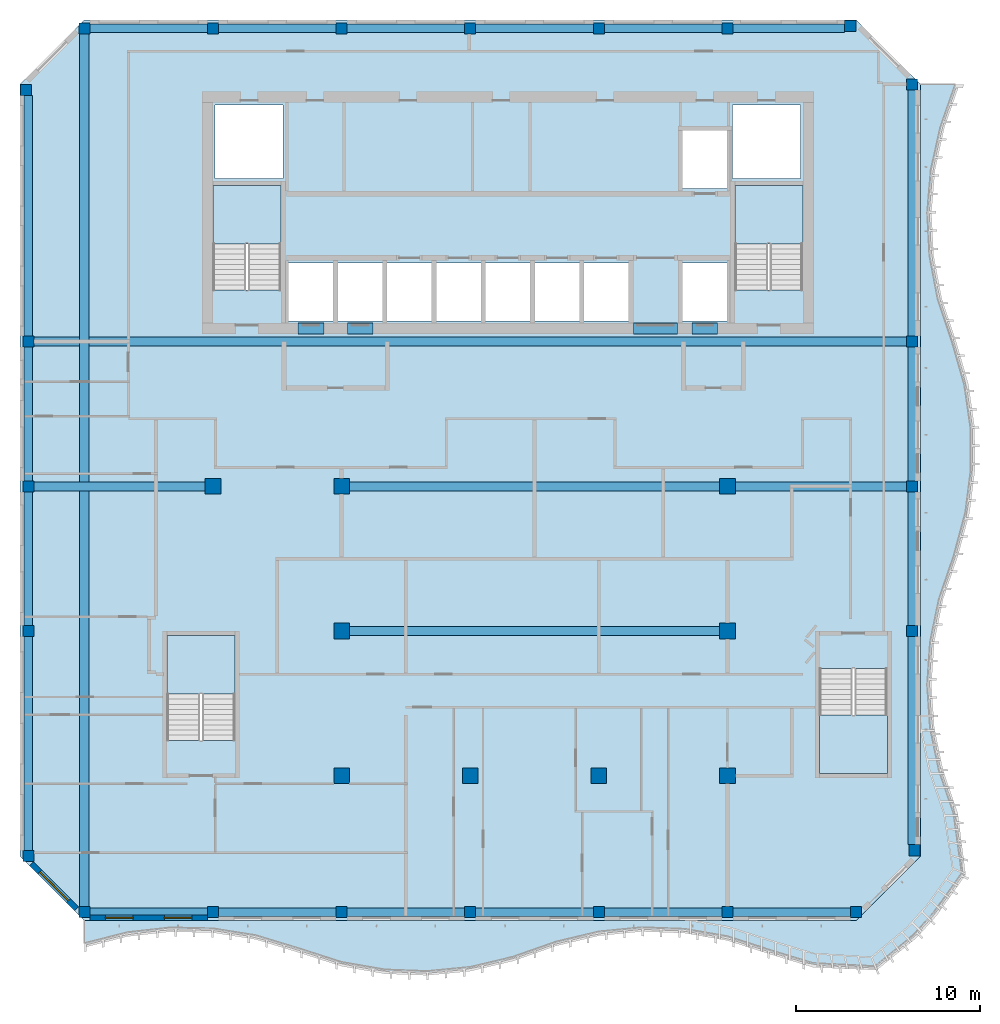
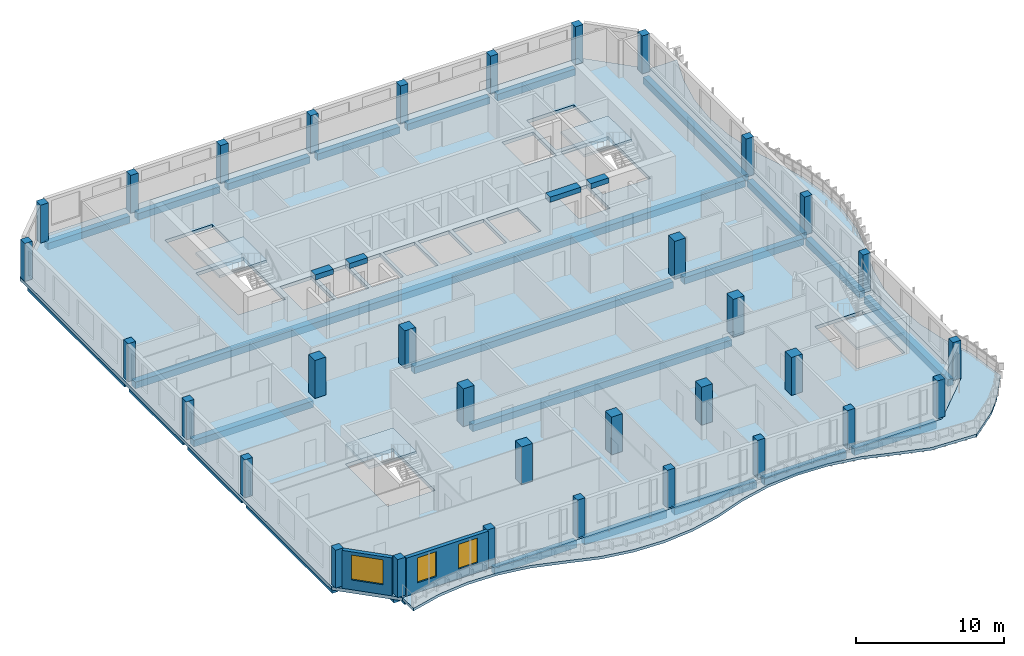
# One storey, part 1 of 17: 33 columns, 30 beams, 6 slabs, 3 windows, 2 walls, 3 openings, 4 elements without a shape of their own.
"""IFC4 building model written with IfcOpenShell, lengths in metres."""

import ifcopenshell
import ifcopenshell.guid

model = None  # the IFC model being written
_history = None  # IfcOwnerHistory: only IFC2X3 demands one
_inside = {}  # id of a spatial element -> (the spatial element, [elements in it])
_under = {}  # id of a project, library or spatial element -> (it, [spatial elements below it])
_declared = {}  # id of a project -> (the project, [libraries it declares])
_typed = {}  # id of a type object -> (the type object, [elements of that type])
_made_of = {}  # id of a material, layer set ... -> (it, [elements and type objects made of it])


def new_model(schema):
    """Start an empty IFC model of exactly this schema.

    Asked for "IFC4X3", IfcOpenShell would pick the latest addendum, in which some entities
    have other attributes; the version numbers below select the first issue.
    IFC2X3 requires an IfcOwnerHistory on every rooted entity: one is made here for all.
    """
    global model, _history
    if schema == "IFC4X3":
        model = ifcopenshell.file(schema_version=(4, 3, 0, 0))
    else:
        model = ifcopenshell.file(schema=schema)
    _inside.clear()
    _under.clear()
    _declared.clear()
    _typed.clear()
    _made_of.clear()
    _history = None
    if model.schema == "IFC2X3":
        org = make("IfcOrganization", Name="unknown")
        user = make(
            "IfcPersonAndOrganization",
            ThePerson=make("IfcPerson", FamilyName="unknown"),
            TheOrganization=org,
        )
        app = make(
            "IfcApplication",
            ApplicationDeveloper=org,
            Version="unknown",
            ApplicationFullName="unknown",
            ApplicationIdentifier="unknown",
        )
        _history = make(
            "IfcOwnerHistory",
            OwningUser=user,
            OwningApplication=app,
            ChangeAction="ADDED",
            CreationDate=0,
        )
    return model


def make(cls, **values):
    """One entity of the class cls with the attributes given. An attribute that is None is left unset."""
    return model.create_entity(
        cls, **{name: value for name, value in values.items() if value is not None}
    )


def rooted(cls, **values):
    """An entity with a GlobalId (a new one), such as an element, a storey or a relation."""
    return make(cls, GlobalId=ifcopenshell.guid.new(), OwnerHistory=_history, **values)


def si_unit(unit_type, name, prefix=None):
    """IfcSIUnit, for example si_unit("LENGTHUNIT", "METRE", prefix="MILLI")."""
    return make("IfcSIUnit", UnitType=unit_type, Prefix=prefix, Name=name)


def assignment(units):
    """IfcUnitAssignment: the units of a project."""
    return None if units is None else make("IfcUnitAssignment", Units=units)


def point(xyz):
    """IfcCartesianPoint."""
    return None if xyz is None else make("IfcCartesianPoint", Coordinates=xyz)


def direction(xyz):
    """IfcDirection."""
    return None if xyz is None else make("IfcDirection", DirectionRatios=xyz)


def frame(location, z_axis=None, x_axis=None):
    """IfcAxis2Placement3D, a coordinate frame: its origin and axes. An axis left out is left unset."""
    return make(
        "IfcAxis2Placement3D",
        Location=point(location),
        Axis=direction(z_axis),
        RefDirection=direction(x_axis),
    )


def frame_2d(location, x_axis=None):
    """IfcAxis2Placement2D, a coordinate frame in the plane: its origin and x axis."""
    return make(
        "IfcAxis2Placement2D", Location=point(location), RefDirection=direction(x_axis)
    )


def origin():
    """The frame at (0, 0, 0) with its axes left unset."""
    return frame((0.0, 0.0, 0.0))


def origin_2d():
    """The frame at (0, 0) in the plane with its x axis left unset."""
    return frame_2d((0.0, 0.0))


def place(relative_to, where):
    """IfcLocalPlacement: puts the frame where relative to a parent placement (None: the world)."""
    return make(
        "IfcLocalPlacement", PlacementRelTo=relative_to, RelativePlacement=where
    )


def context(
    kind, dimensions, precision=None, world=None, true_north=None, identifier=None
):
    """IfcGeometricRepresentationContext, for example the 3D "Model" context."""
    return make(
        "IfcGeometricRepresentationContext",
        ContextIdentifier=identifier,
        ContextType=kind,
        CoordinateSpaceDimension=dimensions,
        Precision=precision,
        WorldCoordinateSystem=world,
        TrueNorth=true_north,
    )


def subcontext(parent, identifier, kind, view, scale=None):
    """IfcGeometricRepresentationSubContext, for example "Body" below "Model"."""
    return make(
        "IfcGeometricRepresentationSubContext",
        ContextIdentifier=identifier,
        ContextType=kind,
        ParentContext=parent,
        TargetScale=scale,
        TargetView=view,
    )


def project(units=None, contexts=None):
    """IfcProject with its units and contexts."""
    return rooted(
        "IfcProject",
        Name="project",
        RepresentationContexts=contexts,
        UnitsInContext=assignment(units),
    )


def spatial(cls, under=None, at=None, **own):
    """A site, building, storey or space (cls), placed at a placement, below another one or the project."""
    s = rooted(cls, ObjectPlacement=at, **own)
    if under is not None:
        _under.setdefault(under.id(), (under, []))[1].append(s)
    return s


def polyline(points):
    """IfcPolyline through the points."""
    return make("IfcPolyline", Points=[point(p) for p in points])


def profile(cls, at=None, kind="AREA", **sizes):
    """A parametric profile (cls). Its sizes go by their IFC names, for example OverallWidth=200.0."""
    return make(cls, ProfileType=kind, Position=at, **sizes)


def rectangle(**sizes):
    """IfcRectangleProfileDef."""
    return profile("IfcRectangleProfileDef", **sizes)


def outline(outer, holes=None, kind="AREA"):
    """IfcArbitraryClosedProfileDef: a profile drawn as a closed curve; with holes, ...WithVoids."""
    if holes is None:
        return make("IfcArbitraryClosedProfileDef", ProfileType=kind, OuterCurve=outer)
    return make(
        "IfcArbitraryProfileDefWithVoids",
        ProfileType=kind,
        OuterCurve=outer,
        InnerCurves=holes,
    )


def extrude(swept, where, along, depth):
    """IfcExtrudedAreaSolid: the profile swept, set in the frame where, extruded along a direction by depth."""
    return make(
        "IfcExtrudedAreaSolid",
        SweptArea=swept,
        Position=where,
        ExtrudedDirection=direction(along),
        Depth=depth,
    )


def shape(context_of_items, identifier, shape_type, items):
    """IfcShapeRepresentation: the items that make up one representation, for example the "Body"."""
    return make(
        "IfcShapeRepresentation",
        ContextOfItems=context_of_items,
        RepresentationIdentifier=identifier,
        RepresentationType=shape_type,
        Items=items,
    )


def source(mapping_origin, context_of_items, identifier, shape_type, items):
    """IfcRepresentationMap: a shape defined once, which mapped items show again and again."""
    return make(
        "IfcRepresentationMap",
        MappingOrigin=mapping_origin,
        MappedRepresentation=shape(context_of_items, identifier, shape_type, items),
    )


def transform(
    local_origin,
    x_axis=None,
    y_axis=None,
    z_axis=None,
    scale=None,
    scale2=None,
    scale3=None,
    uniform=True,
):
    """IfcCartesianTransformationOperator3D, or its non-uniform kind. x_axis, y_axis, z_axis: its Axis1, 2, 3."""
    if uniform:
        return make(
            "IfcCartesianTransformationOperator3D",
            Axis1=direction(x_axis),
            Axis2=direction(y_axis),
            LocalOrigin=point(local_origin),
            Scale=scale,
            Axis3=direction(z_axis),
        )
    return make(
        "IfcCartesianTransformationOperator3DnonUniform",
        Axis1=direction(x_axis),
        Axis2=direction(y_axis),
        LocalOrigin=point(local_origin),
        Scale=scale,
        Axis3=direction(z_axis),
        Scale2=scale2,
        Scale3=scale3,
    )


def mapped(mapping_source, mapping_target):
    """IfcMappedItem: shows the shape of a source again, moved by a transform."""
    return make(
        "IfcMappedItem", MappingSource=mapping_source, MappingTarget=mapping_target
    )


def material(Name=None, Category=None):
    """IfcMaterial."""
    return make("IfcMaterial", Name=Name, Category=Category)


def layer(
    of_material, thickness, ventilated=None, Name=None, Category=None, Priority=None
):
    """IfcMaterialLayer: one layer of a wall or slab, of a material (None: an air gap)."""
    return make(
        "IfcMaterialLayer",
        Material=of_material,
        LayerThickness=thickness,
        IsVentilated=ventilated,
        Name=Name,
        Category=Category,
        Priority=Priority,
    )


def layer_set(layers, Name=None):
    """IfcMaterialLayerSet."""
    return make("IfcMaterialLayerSet", MaterialLayers=layers, LayerSetName=Name)


def material_profile(
    of_material, cross_section, Name=None, Category=None, Priority=None
):
    """IfcMaterialProfile: a cross section and its material."""
    return make(
        "IfcMaterialProfile",
        Name=Name,
        Material=of_material,
        Profile=cross_section,
        Priority=Priority,
        Category=Category,
    )


def profile_set(profiles, Name=None, composite=None):
    """IfcMaterialProfileSet."""
    return make(
        "IfcMaterialProfileSet",
        Name=Name,
        MaterialProfiles=profiles,
        CompositeProfile=composite,
    )


def made_of(thing, what):
    """Note that an element or type object is made of a material, layer set ...; save() writes the relation."""
    if what is not None:
        _made_of.setdefault(what.id(), (what, []))[1].append(thing)
    return thing


def type_object(cls, material=None, **own):
    """A type object (cls), such as IfcWallType, which elements share."""
    return made_of(rooted(cls, **own), material)


def element(
    cls,
    number,
    at=None,
    inside=None,
    cuts=None,
    type_object=None,
    material=None,
    context=None,
    identifier="Body",
    shape_type=None,
    held_by="IfcProductDefinitionShape",
    body=None,
    shapes=None,
    **own,
):
    """One element of the class cls, such as IfcWall. Its Tag is "e" and its number.

    at: its placement. inside: the storey or other place that contains it. cuts: it is an
    opening in that element (IfcRelVoidsElement). A single representation is given by context,
    identifier, shape_type and body (its items); several are given by shapes. held_by: the class
    of the entity that holds the representations. save() writes the other relations.
    """
    e = rooted(cls, Tag="e%d" % number, ObjectPlacement=at, **own)
    if body is not None:
        shapes = [shape(context, identifier, shape_type, body)]
    if shapes is not None:
        e.Representation = make(held_by, Representations=shapes)
    if inside is not None:
        _inside.setdefault(inside.id(), (inside, []))[1].append(e)
    if cuts is not None:
        rooted(
            "IfcRelVoidsElement", RelatingBuildingElement=cuts, RelatedOpeningElement=e
        )
    if type_object is not None:
        _typed.setdefault(type_object.id(), (type_object, []))[1].append(e)
    return made_of(e, material)


def fill(opening, filler):
    """IfcRelFillsElement: the door or window that sits in an opening."""
    return rooted(
        "IfcRelFillsElement",
        RelatingOpeningElement=opening,
        RelatedBuildingElement=filler,
    )


def aggregate(whole, parts):
    """IfcRelAggregates: a whole, such as a stair, and the parts it consists of."""
    return rooted("IfcRelAggregates", RelatingObject=whole, RelatedObjects=parts)


def save(model, path):
    """Write the relations noted so far, then the file.

    IfcRelAggregates (storeys below a building ...), IfcRelContainedInSpatialStructure (elements
    in a storey), IfcRelDefinesByType, IfcRelAssociatesMaterial and IfcRelDeclares: one each for
    every whole, place, type object, material and project.
    """
    for whole, parts in _under.values():
        aggregate(whole, parts)
    for where, things in _inside.values():
        rooted(
            "IfcRelContainedInSpatialStructure",
            RelatedElements=things,
            RelatingStructure=where,
        )
    for kind, things in _typed.values():
        rooted("IfcRelDefinesByType", RelatedObjects=things, RelatingType=kind)
    for what, things in _made_of.values():
        rooted("IfcRelAssociatesMaterial", RelatedObjects=things, RelatingMaterial=what)
    for by, libraries in _declared.values():
        rooted("IfcRelDeclares", RelatingContext=by, RelatedDefinitions=libraries)
    model.write(path)


model = new_model("IFC4")

# Units and contexts
model_context = context("Model", 3, precision=1e-05, world=origin(), true_north=direction((0.0, 1.0)))
body_context = subcontext(model_context, "Body", "Model", "MODEL_VIEW")
ifc_project = project(units=[si_unit("LENGTHUNIT", "METRE"), si_unit("AREAUNIT", "SQUARE_METRE"), si_unit("VOLUMEUNIT", "CUBIC_METRE"), si_unit("PLANEANGLEUNIT", "RADIAN"), si_unit("MASSUNIT", "GRAM", prefix="KILO")], contexts=[model_context])

# Site, building, storey
site_placement = place(None, origin())
site = spatial("IfcSite", under=ifc_project, at=site_placement, CompositionType="ELEMENT")
building_placement = place(site_placement, origin())
building = spatial("IfcBuilding", under=site, at=building_placement, Name="Kilnfold Tower and Market Hall", CompositionType="ELEMENT")
storey_placement = place(building_placement, frame((0.0, 0.0, 308.60009765625)))
storey = spatial("IfcBuildingStorey", under=building, at=storey_placement, Name="L77", CompositionType="ELEMENT", Elevation=308.60009765625)

# Columns
ifc_material_1 = material(Name="Concrete C60", Category="concrete")
ifc_material_profile_1 = material_profile(ifc_material_1, rectangle(XDim=0.60009765625, YDim=0.60009765625, at=origin_2d()), Name="RC 600x600")
ifc_profile_set_1 = profile_set([ifc_material_profile_1], Name="Concrete C60")
column_type_1 = type_object("IfcColumnType", Name="COLUMN 600X600 C60", PredefinedType="COLUMN", material=ifc_profile_set_1)
shared_shape_1 = source(origin(), body_context, "Body", "SweptSolid", [
    extrude(rectangle(XDim=0.60009765625, YDim=0.60009765625, at=origin_2d()), origin(), (0.0, 0.0, 1.0), 3.119873046875),
])
for number, where, z_axis, x_axis, name in (
    (1, (-25.181884765625, 21.681884765625, 0.0), (0.0, 0.0, 1.0), (1.0, 0.0, 0.0), "Column C-B9-1G"),
    (2, (-25.050048828125, -20.0, 0.0), (0.0, 0.0, 1.0), (1.0, 0.0, 0.0), "Column C-B9-1B"),
    (3, (-25.050048828125, -7.75, 0.0), (0.0, 0.0, 1.0), (1.0, 0.0, 0.0), "Column C-B9-1D"),
    (4, (-25.050048828125, 0.125, 0.0), (0.0, 0.0, 1.0), (1.0, 0.0, 0.0), "Column C-B9-1E"),
    (5, (-25.050048828125, 8.0, 0.0), (0.0, 0.0, 1.0), (1.0, 0.0, 0.0), "Column C-B9-1F"),
    (6, (-22.0, -23.050048828125, 0.0), (0.0, 0.0, 1.0), (1.0, 0.0, 0.0), "Column C-B9-2A"),
    (7, (-22.0, 25.050048828125, 0.0), (0.0, 0.0, 1.0), (1.0, 0.0, 0.0), "Column C-B9-2H"),
    (8, (-15.0, -23.050048828125, 0.0), (0.0, 0.0, 1.0), (1.0, 0.0, 0.0), "Column C-B9-3A"),
    (9, (-15.0, 25.050048828125, 0.0), (0.0, 0.0, 1.0), (1.0, 0.0, 0.0), "Column C-B9-3H"),
    (10, (-8.0, -23.050048828125, 0.0), (0.0, 0.0, 1.0), (1.0, 0.0, 0.0), "Column C-B9-4A"),
    (11, (-8.0, 25.050048828125, 0.0), (0.0, 0.0, 1.0), (1.0, 0.0, 0.0), "Column C-B9-4H"),
    (12, (-1.0, -23.050048828125, 0.0), (0.0, 0.0, 1.0), (1.0, 0.0, 0.0), "Column C-B9-5A"),
    (13, (-1.0, 25.050048828125, 0.0), (0.0, 0.0, 1.0), (1.0, 0.0, 0.0), "Column C-B9-5H"),
    (14, (6.0, -23.050048828125, 0.0), (0.0, 0.0, 1.0), (1.0, 0.0, 0.0), "Column C-B9-6A"),
    (15, (6.0, 25.050048828125, 0.0), (0.0, 0.0, 1.0), (1.0, 0.0, 0.0), "Column C-B9-6H"),
    (16, (13.0, -23.050048828125, 0.0), (0.0, 0.0, 1.0), (1.0, 0.0, 0.0), "Column C-B9-7A"),
    (17, (13.0, 25.050048828125, 0.0), (0.0, 0.0, 1.0), (1.0, 0.0, 0.0), "Column C-B9-7H"),
    (18, (19.681884765625, 25.181884765625, 0.0), (0.0, 0.0, 1.0), (1.0, 0.0, 0.0), "Column C-B9-8H"),
    (19, (20.0, -23.050048828125, 0.0), (0.0, 0.0, 1.0), (1.0, 0.0, 0.0), "Column C-B9-8A"),
    (20, (23.050048828125, -7.75, 0.0), (0.0, 0.0, 1.0), (1.0, 0.0, 0.0), "Column C-B9-9D"),
    (21, (23.050048828125, 0.125, 0.0), (0.0, 0.0, 1.0), (1.0, 0.0, 0.0), "Column C-B9-9E"),
    (22, (23.050048828125, 8.0, 0.0), (0.0, 0.0, 1.0), (1.0, 0.0, 0.0), "Column C-B9-9F"),
    (23, (23.050048828125, 22.0, 0.0), (0.0, 0.0, 1.0), (1.0, 0.0, 0.0), "Column C-B9-9G"),
    (24, (23.181884765625, -19.681884765625, 0.0), (0.0, 0.0, 1.0), (1.0, 0.0, 0.0), "Column C-B9-9B"),
):
    element("IfcColumn", number, at=place(storey_placement, frame(where, z_axis=z_axis, x_axis=x_axis)), inside=storey, type_object=column_type_1, Name=name, PredefinedType="COLUMN", context=body_context, shape_type="MappedRepresentation", body=[
        mapped(shared_shape_1, transform((0.0, 0.0, 0.0))),
    ])
ifc_material_2 = material(Name="Concrete C60", Category="concrete")
ifc_material_profile_2 = material_profile(ifc_material_2, rectangle(XDim=0.85009765625, YDim=0.85009765625, at=origin_2d()), Name="RC 850x850")
ifc_profile_set_2 = profile_set([ifc_material_profile_2], Name="Concrete C60")
column_type_2 = type_object("IfcColumnType", Name="COLUMN 850X850 C60", PredefinedType="COLUMN", material=ifc_profile_set_2)
shared_shape_2 = source(origin(), body_context, "Body", "SweptSolid", [
    extrude(rectangle(XDim=0.85009765625, YDim=0.85009765625, at=origin_2d()), origin(), (0.0, 0.0, 1.0), 3.119873046875),
])
for number, where, z_axis, x_axis, name in (
    (25, (-15.0, 0.125, 0.0), (0.0, 0.0, 1.0), (1.0, 0.0, 0.0), "Column C-B9-3E"),
    (26, (-8.0, -15.625, 0.0), (0.0, 0.0, 1.0), (1.0, 0.0, 0.0), "Column C-B9-4C"),
    (27, (-8.0, -7.75, 0.0), (0.0, 0.0, 1.0), (1.0, 0.0, 0.0), "Column C-B9-4D"),
    (28, (-8.0, 0.125, 0.0), (0.0, 0.0, 1.0), (1.0, 0.0, 0.0), "Column C-B9-4E"),
    (29, (-1.0, -15.625, 0.0), (0.0, 0.0, 1.0), (1.0, 0.0, 0.0), "Column C-B9-5C"),
    (30, (6.0, -15.625, 0.0), (0.0, 0.0, 1.0), (1.0, 0.0, 0.0), "Column C-B9-6C"),
    (31, (13.0, -15.625, 0.0), (0.0, 0.0, 1.0), (1.0, 0.0, 0.0), "Column C-B9-7C"),
    (32, (13.0, -7.75, 0.0), (0.0, 0.0, 1.0), (1.0, 0.0, 0.0), "Column C-B9-7D"),
    (33, (13.0, 0.125, 0.0), (0.0, 0.0, 1.0), (1.0, 0.0, 0.0), "Column C-B9-7E"),
):
    element("IfcColumn", number, at=place(storey_placement, frame(where, z_axis=z_axis, x_axis=x_axis)), inside=storey, type_object=column_type_2, Name=name, PredefinedType="COLUMN", context=body_context, shape_type="MappedRepresentation", body=[
        mapped(shared_shape_2, transform((0.0, 0.0, 0.0))),
    ])

# Beams
ifc_material_3 = material(Name="Concrete C50", Category="concrete")
ifc_material_profile_3 = material_profile(ifc_material_3, rectangle(XDim=0.60009765625, YDim=0.419921875, at=origin_2d()), Name="RC 600x420")
ifc_profile_set_3 = profile_set([ifc_material_profile_3], Name="Concrete C50")
beam_type_1 = type_object("IfcBeamType", Name="COUPLING BEAM 600X420 C50", PredefinedType="BEAM", material=ifc_profile_set_3)
shared_shape_3 = source(origin(), body_context, "Body", "SweptSolid", [
    extrude(rectangle(XDim=0.60009765625, YDim=0.419921875, at=origin_2d()), origin(), (0.0, 0.0, 1.0), 1.400146484375),
])
beam_1_placement = place(storey_placement, frame((-10.3701171875, 8.699951171875, 2.909912109375), z_axis=(1.0, 0.0, 0.0), x_axis=(0.0, 1.0, 0.0)))
element("IfcBeam", 34, at=beam_1_placement, inside=storey, type_object=beam_type_1, Name="Coupling beam CB420-50-CORE.30", PredefinedType="BEAM", context=body_context, shape_type="MappedRepresentation", body=[
    mapped(shared_shape_3, transform((0.0, 0.0, 0.0))),
])
shared_shape_4 = source(origin(), body_context, "Body", "SweptSolid", [
    extrude(rectangle(XDim=0.60009765625, YDim=0.419921875, at=origin_2d()), origin(), (0.0, 0.0, 1.0), 1.39990234375),
])
for number, where, z_axis, x_axis, name in (
    (35, (-7.68994140625, 8.699951171875, 2.909912109375), (1.0, 0.0, 0.0), (0.0, 1.0, 0.0), "Coupling beam CB420-50-CORE.31"),
    (36, (11.070068359375, 8.699951171875, 2.909912109375), (1.0, 0.0, 0.0), (0.0, 1.0, 0.0), "Coupling beam CB420-50-CORE.33"),
):
    element("IfcBeam", number, at=place(storey_placement, frame(where, z_axis=z_axis, x_axis=x_axis)), inside=storey, type_object=beam_type_1, Name=name, PredefinedType="BEAM", context=body_context, shape_type="MappedRepresentation", body=[
        mapped(shared_shape_4, transform((0.0, 0.0, 0.0))),
    ])
shared_shape_5 = source(origin(), body_context, "Body", "SweptSolid", [
    extrude(rectangle(XDim=0.60009765625, YDim=0.419921875, at=origin_2d()), origin(), (0.0, 0.0, 1.0), 2.400146484375),
])
beam_2_placement = place(storey_placement, frame((7.889892578125, 8.699951171875, 2.909912109375), z_axis=(1.0, 0.0, 0.0), x_axis=(0.0, 1.0, 0.0)))
element("IfcBeam", 37, at=beam_2_placement, inside=storey, type_object=beam_type_1, Name="Coupling beam CB420-50-CORE.32", PredefinedType="BEAM", context=body_context, shape_type="MappedRepresentation", body=[
    mapped(shared_shape_5, transform((0.0, 0.0, 0.0))),
])
ifc_material_4 = material(Name="Concrete C45", Category="concrete")
ifc_material_profile_4 = material_profile(ifc_material_4, rectangle(XDim=0.449951171875, YDim=0.550048828125, at=origin_2d()), Name="RC 450x550")
ifc_profile_set_4 = profile_set([ifc_material_profile_4], Name="Concrete C45")
beam_type_2 = type_object("IfcBeamType", Name="EDGE BEAM 450X550 C45", PredefinedType="BEAM", material=ifc_profile_set_4)
shared_shape_6 = source(origin(), body_context, "Body", "SweptSolid", [
    extrude(rectangle(XDim=0.449951171875, YDim=0.550048828125, at=origin_2d()), origin(), (0.0, 0.0, 1.0), 6.39990234375),
])
for number, where, z_axis, x_axis, name in (
    (38, (-21.699951171875, -23.050048828125, -0.55517578125), (1.0, 0.0, 0.0), (0.0, 1.0, 0.0), "Beam EB550-B9.38"),
    (39, (-14.699951171875, -23.050048828125, -0.55517578125), (1.0, 0.0, 0.0), (0.0, 1.0, 0.0), "Beam EB550-B9.39"),
    (40, (-7.699951171875, -23.050048828125, -0.55517578125), (1.0, 0.0, 0.0), (0.0, 1.0, 0.0), "Beam EB550-B9.40"),
    (41, (-0.699951171875, -23.050048828125, -0.55517578125), (1.0, 0.0, 0.0), (0.0, 1.0, 0.0), "Beam EB550-B9.41"),
    (42, (6.300048828125, -23.050048828125, -0.55517578125), (1.0, 0.0, 0.0), (0.0, 1.0, 0.0), "Beam EB550-B9.42"),
    (43, (13.300048828125, -23.050048828125, -0.55517578125), (1.0, 0.0, 0.0), (0.0, 1.0, 0.0), "Beam EB550-B9.43"),
    (44, (-21.699951171875, 25.050048828125, -0.55517578125), (1.0, 0.0, 0.0), (0.0, 1.0, 0.0), "Beam EB550-B9.49"),
    (45, (-14.699951171875, 25.050048828125, -0.55517578125), (1.0, 0.0, 0.0), (0.0, 1.0, 0.0), "Beam EB550-B9.50"),
    (46, (-7.699951171875, 25.050048828125, -0.55517578125), (1.0, 0.0, 0.0), (0.0, 1.0, 0.0), "Beam EB550-B9.51"),
    (47, (-0.699951171875, 25.050048828125, -0.55517578125), (1.0, 0.0, 0.0), (0.0, 1.0, 0.0), "Beam EB550-B9.52"),
    (48, (6.300048828125, 25.050048828125, -0.55517578125), (1.0, 0.0, 0.0), (0.0, 1.0, 0.0), "Beam EB550-B9.53"),
):
    element("IfcBeam", number, at=place(storey_placement, frame(where, z_axis=z_axis, x_axis=x_axis)), inside=storey, type_object=beam_type_2, Name=name, PredefinedType="BEAM", context=body_context, shape_type="MappedRepresentation", body=[
        mapped(shared_shape_6, transform((0.0, 0.0, 0.0))),
    ])
ifc_material_5 = material(Name="Concrete C45", Category="concrete")
ifc_material_profile_5 = material_profile(ifc_material_5, rectangle(XDim=0.5, YDim=0.550048828125, at=origin_2d()), Name="RC 500x550")
ifc_profile_set_5 = profile_set([ifc_material_profile_5], Name="Concrete C45")
beam_type_3 = type_object("IfcBeamType", Name="BEAM 500X550 C45", PredefinedType="BEAM", material=ifc_profile_set_5)
shared_shape_7 = source(origin(), body_context, "Body", "SweptSolid", [
    extrude(rectangle(XDim=0.5, YDim=0.550048828125, at=origin_2d()), origin(), (0.0, 0.0, 1.0), 20.14990234375),
])
for number, where, z_axis, x_axis, name in (
    (49, (-7.574951171875, -7.75, -0.55517578125), (1.0, 0.0, 0.0), (0.0, 1.0, 0.0), "Beam BB550-B9.44"),
    (50, (-7.574951171875, 0.1201171875, -0.55517578125), (1.0, 0.0, 0.0), (0.0, 1.0, 0.0), "Beam BB550-B9.46"),
):
    element("IfcBeam", number, at=place(storey_placement, frame(where, z_axis=z_axis, x_axis=x_axis)), inside=storey, type_object=beam_type_3, Name=name, PredefinedType="BEAM", context=body_context, shape_type="MappedRepresentation", body=[
        mapped(shared_shape_7, transform((0.0, 0.0, 0.0))),
    ])
shared_shape_8 = source(origin(), body_context, "Body", "SweptSolid", [
    extrude(rectangle(XDim=0.5, YDim=0.550048828125, at=origin_2d()), origin(), (0.0, 0.0, 1.0), 9.324951171875),
])
for number, where, z_axis, x_axis, name in (
    (51, (-24.75, 0.1201171875, -0.55517578125), (1.0, 0.0, 0.0), (0.0, 1.0, 0.0), "Beam BB550-B9.45"),
    (52, (13.425048828125, 0.1201171875, -0.55517578125), (1.0, 0.0, 0.0), (0.0, 1.0, 0.0), "Beam BB550-B9.47"),
):
    element("IfcBeam", number, at=place(storey_placement, frame(where, z_axis=z_axis, x_axis=x_axis)), inside=storey, type_object=beam_type_3, Name=name, PredefinedType="BEAM", context=body_context, shape_type="MappedRepresentation", body=[
        mapped(shared_shape_8, transform((0.0, 0.0, 0.0))),
    ])
shared_shape_9 = source(origin(), body_context, "Body", "SweptSolid", [
    extrude(rectangle(XDim=0.5, YDim=0.550048828125, at=origin_2d()), origin(), (0.0, 0.0, 1.0), 47.5),
])
for number, where, z_axis, x_axis, name in (
    (53, (-24.75, 8.0, -0.55517578125), (1.0, 0.0, 0.0), (0.0, 1.0, 0.0), "Beam BB550-B9.48"),
    (54, (-22.0, -22.75, -0.55517578125), (0.0, 1.0, 0.0), (-1.0, 0.0, 0.0), "Beam BB550-B9.59"),
):
    element("IfcBeam", number, at=place(storey_placement, frame(where, z_axis=z_axis, x_axis=x_axis)), inside=storey, type_object=beam_type_3, Name=name, PredefinedType="BEAM", context=body_context, shape_type="MappedRepresentation", body=[
        mapped(shared_shape_9, transform((0.0, 0.0, 0.0))),
    ])
shared_shape_10 = source(origin(), body_context, "Body", "SweptSolid", [
    extrude(rectangle(XDim=0.449951171875, YDim=0.550048828125, at=origin_2d()), origin(), (0.0, 0.0, 1.0), 6.081787109375),
])
beam_3_placement = place(storey_placement, frame((13.300048828125, 25.050048828125, -0.55517578125), z_axis=(1.0, 0.0, 0.0), x_axis=(0.0, 1.0, 0.0)))
element("IfcBeam", 55, at=beam_3_placement, inside=storey, type_object=beam_type_2, Name="Beam EB550-B9.54", PredefinedType="BEAM", context=body_context, shape_type="MappedRepresentation", body=[
    mapped(shared_shape_10, transform((0.0, 0.0, 0.0))),
])
shared_shape_11 = source(origin(), body_context, "Body", "SweptSolid", [
    extrude(rectangle(XDim=0.449951171875, YDim=0.550048828125, at=origin_2d()), origin(), (0.0, 0.0, 1.0), 11.64990234375),
])
beam_4_placement = place(storey_placement, frame((-25.050048828125, -19.699951171875, -0.55517578125), z_axis=(0.0, 1.0, 0.0), x_axis=(-1.0, 0.0, 0.0)))
element("IfcBeam", 56, at=beam_4_placement, inside=storey, type_object=beam_type_2, Name="Beam EB550-B9.55", PredefinedType="BEAM", context=body_context, shape_type="MappedRepresentation", body=[
    mapped(shared_shape_11, transform((0.0, 0.0, 0.0))),
])
shared_shape_12 = source(origin(), body_context, "Body", "SweptSolid", [
    extrude(rectangle(XDim=0.449951171875, YDim=0.550048828125, at=origin_2d()), origin(), (0.0, 0.0, 1.0), 7.27490234375),
])
for number, where, z_axis, x_axis, name in (
    (57, (-25.050048828125, -7.449951171875, -0.55517578125), (0.0, 1.0, 0.0), (-1.0, 0.0, 0.0), "Beam EB550-B9.56"),
    (58, (-25.050048828125, 0.425048828125, -0.55517578125), (0.0, 1.0, 0.0), (-1.0, 0.0, 0.0), "Beam EB550-B9.57"),
    (59, (23.050048828125, -7.449951171875, -0.55517578125), (0.0, 1.0, 0.0), (-1.0, 0.0, 0.0), "Beam EB550-B9.61"),
    (60, (23.050048828125, 0.425048828125, -0.55517578125), (0.0, 1.0, 0.0), (-1.0, 0.0, 0.0), "Beam EB550-B9.62"),
):
    element("IfcBeam", number, at=place(storey_placement, frame(where, z_axis=z_axis, x_axis=x_axis)), inside=storey, type_object=beam_type_2, Name=name, PredefinedType="BEAM", context=body_context, shape_type="MappedRepresentation", body=[
        mapped(shared_shape_12, transform((0.0, 0.0, 0.0))),
    ])
shared_shape_13 = source(origin(), body_context, "Body", "SweptSolid", [
    extrude(rectangle(XDim=0.449951171875, YDim=0.550048828125, at=origin_2d()), origin(), (0.0, 0.0, 1.0), 13.081787109375),
])
beam_5_placement = place(storey_placement, frame((-25.050048828125, 8.300048828125, -0.55517578125), z_axis=(0.0, 1.0, 0.0), x_axis=(-1.0, 0.0, 0.0)))
element("IfcBeam", 61, at=beam_5_placement, inside=storey, type_object=beam_type_2, Name="Beam EB550-B9.58", PredefinedType="BEAM", context=body_context, shape_type="MappedRepresentation", body=[
    mapped(shared_shape_13, transform((0.0, 0.0, 0.0))),
])
shared_shape_14 = source(origin(), body_context, "Body", "SweptSolid", [
    extrude(rectangle(XDim=0.449951171875, YDim=0.550048828125, at=origin_2d()), origin(), (0.0, 0.0, 1.0), 11.331787109375),
])
beam_6_placement = place(storey_placement, frame((23.050048828125, -19.3818359375, -0.55517578125), z_axis=(0.0, 1.0, 0.0), x_axis=(-1.0, 0.0, 0.0)))
element("IfcBeam", 62, at=beam_6_placement, inside=storey, type_object=beam_type_2, Name="Beam EB550-B9.60", PredefinedType="BEAM", context=body_context, shape_type="MappedRepresentation", body=[
    mapped(shared_shape_14, transform((0.0, 0.0, 0.0))),
])
shared_shape_15 = source(origin(), body_context, "Body", "SweptSolid", [
    extrude(rectangle(XDim=0.449951171875, YDim=0.550048828125, at=origin_2d()), origin(), (0.0, 0.0, 1.0), 13.39990234375),
])
beam_7_placement = place(storey_placement, frame((23.050048828125, 8.300048828125, -0.55517578125), z_axis=(0.0, 1.0, 0.0), x_axis=(-1.0, 0.0, 0.0)))
element("IfcBeam", 63, at=beam_7_placement, inside=storey, type_object=beam_type_2, Name="Beam EB550-B9.63", PredefinedType="BEAM", context=body_context, shape_type="MappedRepresentation", body=[
    mapped(shared_shape_15, transform((0.0, 0.0, 0.0))),
])

# Slabs
ifc_material_6 = material(Name="Concrete C45", Category="concrete")
ifc_layer_1 = layer(ifc_material_6, 0.280029296875)
ifc_layer_set_1 = layer_set([ifc_layer_1], Name="Concrete C45")
slab_type_1 = type_object("IfcSlabType", Name="FLOOR SLAB 280", PredefinedType="FLOOR", material=ifc_layer_set_1)
shared_shape_16 = source(origin(), body_context, "Body", "SweptSolid", [
    extrude(outline(polyline([(-22.0, -23.5), (20.0, -23.5), (23.5, -20.0), (23.5, 22.0), (20.0, 25.5), (-22.0, 25.5), (-25.5, 22.0), (-25.5, -20.0), (-22.0, -23.5)]), holes=[polyline([(-13.800537109375, -8.00048828125), (-13.800537109375, -13.699462890625), (-17.49951171875, -13.699462890625), (-17.49951171875, -8.00048828125), (-13.800537109375, -8.00048828125)]), polyline([(-11.300537109375, 10.800537109375), (-14.99951171875, 10.800537109375), (-14.99951171875, 16.49951171875), (-11.300537109375, 16.49951171875), (-11.300537109375, 10.800537109375)]), polyline([(-11.175048828125, 16.875), (-14.875, 16.875), (-14.875, 20.875), (-11.175048828125, 20.875), (-11.175048828125, 16.875)]), polyline([(-8.455078125, 9.125), (-10.885009765625, 9.125), (-10.885009765625, 12.27490234375), (-8.455078125, 12.27490234375), (-8.455078125, 9.125)]), polyline([(-5.77490234375, 9.125), (-8.205078125, 9.125), (-8.205078125, 12.27490234375), (-5.77490234375, 12.27490234375), (-5.77490234375, 9.125)]), polyline([(-3.094970703125, 9.125), (-5.52490234375, 9.125), (-5.52490234375, 12.27490234375), (-3.094970703125, 12.27490234375), (-3.094970703125, 9.125)]), polyline([(-0.4150390625, 9.125), (-2.844970703125, 9.125), (-2.844970703125, 12.27490234375), (-0.4150390625, 12.27490234375), (-0.4150390625, 9.125)]), polyline([(2.264892578125, 9.125), (-0.1650390625, 9.125), (-0.1650390625, 12.27490234375), (2.264892578125, 12.27490234375), (2.264892578125, 9.125)]), polyline([(4.945068359375, 9.125), (2.514892578125, 9.125), (2.514892578125, 12.27490234375), (4.945068359375, 12.27490234375), (4.945068359375, 9.125)]), polyline([(7.625, 9.125), (5.195068359375, 9.125), (5.195068359375, 12.27490234375), (7.625, 12.27490234375), (7.625, 9.125)]), polyline([(12.985107421875, 9.125), (10.554931640625, 9.125), (10.554931640625, 12.27490234375), (12.985107421875, 12.27490234375), (12.985107421875, 9.125)]), polyline([(12.985107421875, 16.324951171875), (10.554931640625, 16.324951171875), (10.554931640625, 19.47509765625), (12.985107421875, 19.47509765625), (12.985107421875, 16.324951171875)]), polyline([(16.97509765625, 16.875), (13.27490234375, 16.875), (13.27490234375, 20.875), (16.97509765625, 20.875), (16.97509765625, 16.875)]), polyline([(17.099609375, 10.800537109375), (13.400390625, 10.800537109375), (13.400390625, 16.49951171875), (17.099609375, 16.49951171875), (17.099609375, 10.800537109375)]), polyline([(18.00048828125, -9.800537109375), (21.699462890625, -9.800537109375), (21.699462890625, -15.49951171875), (18.00048828125, -15.49951171875), (18.00048828125, -9.800537109375)])]), origin(), (0.0, 0.0, 1.0), 0.280029296875),
])
slab_1_placement = place(storey_placement, frame((0.0, 0.0, -0.280029296875)))
element("IfcSlab", 64, at=slab_1_placement, inside=storey, type_object=slab_type_1, Name="Floor slab L77", PredefinedType="FLOOR", context=body_context, shape_type="MappedRepresentation", body=[
    mapped(shared_shape_16, transform((0.0, 0.0, 0.0))),
])
ifc_material_7 = material(Name="Concrete C40/50", Category="concrete")
ifc_layer_2 = layer(ifc_material_7, 0.219970703125)
ifc_layer_set_2 = layer_set([ifc_layer_2], Name="Concrete C40/50")
slab_type_2 = type_object("IfcSlabType", Name="BALCONY SLAB 220", PredefinedType="FLOOR", material=ifc_layer_set_2)
shared_shape_17 = source(origin(), body_context, "Body", "SweptSolid", [
    extrude(outline(polyline([(-22.0, -23.5), (20.0, -23.5), (23.5, -20.0), (23.5, 22.0), (25.626953125, 22.0), (24.8115234375, 19.666748046875), (24.294189453125, 17.333251953125), (24.10205078125, 15.0), (24.2236328125, 12.666748046875), (24.666259765625, 10.333251953125), (25.44580078125, 8.0), (26.116455078125, 5.666748046875), (26.451416015625, 3.333251953125), (26.469482421875, 1.0), (26.171875, -1.333251953125), (25.54150390625, -3.666748046875), (24.7392578125, -6.0), (24.25830078125, -8.333251953125), (24.10009765625, -10.666748046875), (24.255859375, -13.0), (24.734375, -15.333251953125), (25.535400390625, -17.666748046875), (25.96533203125, -21.021240234375), (24.3935546875, -23.226806640625), (23.287841796875, -24.45458984375), (21.12109375, -26.206298828125), (17.666748046875, -26.0576171875), (15.333251953125, -25.346435546875), (13.0, -24.59912109375), (10.666748046875, -24.19384765625), (8.333251953125, -24.10791015625), (6.0, -24.33642578125), (3.666748046875, -24.89208984375), (1.333251953125, -25.7119140625), (-1.0, -26.265869140625), (-3.333251953125, -26.492431640625), (-5.666748046875, -26.40478515625), (-8.0, -25.997802734375), (-10.333251953125, -25.24853515625), (-12.666748046875, -24.539306640625), (-15.0, -24.16943359375), (-17.333251953125, -24.117431640625), (-19.666748046875, -24.38037109375), (-22.0, -24.97314453125), (-22.0, -23.5)])), origin(), (0.0, 0.0, 1.0), 0.22021484375),
])
slab_2_placement = place(storey_placement, frame((0.0, 0.0, -0.22021484375)))
element("IfcSlab", 65, at=slab_2_placement, inside=storey, type_object=slab_type_2, Name="Balcony slab L77", PredefinedType="FLOOR", context=body_context, shape_type="MappedRepresentation", body=[
    mapped(shared_shape_17, transform((0.0, 0.0, 0.0))),
])

# Stair, slab
ifc_material_8 = material(Name="Concrete C40/50", Category="concrete")
stair_type = type_object("IfcStairType", Name="CORE STAIR 1800", PredefinedType="HALF_TURN_STAIR", material=ifc_material_8)
stair_1_placement = place(storey_placement, origin())
stair_1 = element("IfcStair", 66, at=stair_1_placement, inside=storey, type_object=stair_type, Name="L77 ST1", PredefinedType="HALF_TURN_STAIR")
ifc_material_9 = material(Name="Concrete C40/50", Category="concrete")
ifc_layer_3 = layer(ifc_material_9, 0.199951171875)
ifc_layer_set_3 = layer_set([ifc_layer_3], Name="Concrete C40/50")
slab_type_3 = type_object("IfcSlabType", Name="CORE STAIR LANDING 200", PredefinedType="LANDING", material=ifc_layer_set_3)
shared_shape_18 = source(origin(), body_context, "Body", "SweptSolid", [
    extrude(outline(polyline([(-11.300048828125, 13.320068359375), (-11.300048828125, 16.5), (-15.0, 16.5), (-15.0, 13.320068359375), (-11.300048828125, 13.320068359375)])), origin(), (0.0, 0.0, 1.0), 0.199951171875),
])
slab_3_placement = place(storey_placement, frame((0.0, 0.0, 1.5)))
slab_3 = element("IfcSlab", 67, at=slab_3_placement, type_object=slab_type_3, Name="ST1 landing 1", PredefinedType="LANDING", context=body_context, shape_type="MappedRepresentation", body=[
    mapped(shared_shape_18, transform((0.0, 0.0, 0.0))),
])
aggregate(stair_1, [slab_3])

stair_2_placement = place(storey_placement, origin())
stair_2 = element("IfcStair", 68, at=stair_2_placement, inside=storey, type_object=stair_type, Name="L77 ST2", PredefinedType="HALF_TURN_STAIR")
shared_shape_19 = source(origin(), body_context, "Body", "SweptSolid", [
    extrude(outline(polyline([(17.10009765625, 13.320068359375), (17.10009765625, 16.5), (13.39990234375, 16.5), (13.39990234375, 13.320068359375), (17.10009765625, 13.320068359375)])), origin(), (0.0, 0.0, 1.0), 0.199951171875),
])
slab_4_placement = place(storey_placement, frame((0.0, 0.0, 1.5)))
slab_4 = element("IfcSlab", 69, at=slab_4_placement, type_object=slab_type_3, Name="ST2 landing 1", PredefinedType="LANDING", context=body_context, shape_type="MappedRepresentation", body=[
    mapped(shared_shape_19, transform((0.0, 0.0, 0.0))),
])
aggregate(stair_2, [slab_4])

stair_3_placement = place(storey_placement, origin())
stair_3 = element("IfcStair", 70, at=stair_3_placement, inside=storey, type_object=stair_type, Name="L77 ST3", PredefinedType="HALF_TURN_STAIR")
shared_shape_20 = source(origin(), body_context, "Body", "SweptSolid", [
    extrude(outline(polyline([(-13.800048828125, -11.179931640625), (-13.800048828125, -8.0), (-17.5, -8.0), (-17.5, -11.179931640625), (-13.800048828125, -11.179931640625)])), origin(), (0.0, 0.0, 1.0), 0.199951171875),
])
slab_5_placement = place(storey_placement, frame((0.0, 0.0, 1.5)))
slab_5 = element("IfcSlab", 71, at=slab_5_placement, type_object=slab_type_3, Name="ST3 landing 1", PredefinedType="LANDING", context=body_context, shape_type="MappedRepresentation", body=[
    mapped(shared_shape_20, transform((0.0, 0.0, 0.0))),
])
aggregate(stair_3, [slab_5])

stair_4_placement = place(storey_placement, origin())
stair_4 = element("IfcStair", 72, at=stair_4_placement, inside=storey, type_object=stair_type, Name="L77 ST4", PredefinedType="HALF_TURN_STAIR")
shared_shape_21 = source(origin(), body_context, "Body", "SweptSolid", [
    extrude(outline(polyline([(18.0, -12.320068359375), (18.0, -15.5), (21.699951171875, -15.5), (21.699951171875, -12.320068359375), (18.0, -12.320068359375)])), origin(), (0.0, 0.0, 1.0), 0.199951171875),
])
slab_6_placement = place(storey_placement, frame((0.0, 0.0, 1.5)))
slab_6 = element("IfcSlab", 73, at=slab_6_placement, type_object=slab_type_3, Name="ST4 landing 1", PredefinedType="LANDING", context=body_context, shape_type="MappedRepresentation", body=[
    mapped(shared_shape_21, transform((0.0, 0.0, 0.0))),
])
aggregate(stair_4, [slab_6])

# Wall, openings, windows
ifc_material_10 = material(Name="Precast concrete C50/60", Category="concrete")
ifc_layer_4 = layer(ifc_material_10, 0.300048828125)
ifc_layer_set_4 = layer_set([ifc_layer_4], Name="Precast concrete C50/60")
wall_type = type_object("IfcWallType", Name="PRECAST WALL 300", PredefinedType="SOLIDWALL", material=ifc_layer_set_4)
shared_shape_22 = source(origin(), body_context, "Body", "SweptSolid", [
    extrude(rectangle(XDim=6.39990234375, YDim=0.300048828125, at=frame_2d((3.199951171875, 0.0))), origin(), (0.0, 0.0, 1.0), 3.119873046875),
])
wall_1_placement = place(storey_placement, frame((-21.699951171875, -23.35009765625, 0.0), z_axis=(0.0, 0.0, 1.0), x_axis=(1.0, 0.0, 0.0)))
wall_1 = element("IfcWall", 74, at=wall_1_placement, inside=storey, type_object=wall_type, Name="External wall L77 S", PredefinedType="SOLIDWALL", context=body_context, shape_type="MappedRepresentation", body=[
    mapped(shared_shape_22, transform((0.0, 0.0, 0.0))),
])
opening_1_placement = place(wall_1_placement, frame((0.85009765625, 0.0, 0.800048828125)))
opening_1 = element("IfcOpeningElement", 75, at=opening_1_placement, cuts=wall_1, Name="Opening W5", PredefinedType="OPENING", context=body_context, shape_type="SweptSolid", body=[
    extrude(rectangle(XDim=1.5, YDim=2.050048828125, at=frame_2d((0.75, 1.02490234375))), frame((0.0, 0.16015625, 0.0), z_axis=(0.0, -1.0, 0.0), x_axis=(1.0, 0.0, 0.0)), (0.0, 0.0, 1.0), 0.320068359375),
])
opening_2_placement = place(wall_1_placement, frame((4.050048828125, 0.0, 0.800048828125)))
opening_2 = element("IfcOpeningElement", 76, at=opening_2_placement, cuts=wall_1, Name="Opening W5", PredefinedType="OPENING", context=body_context, shape_type="SweptSolid", body=[
    extrude(rectangle(XDim=1.5, YDim=2.050048828125, at=frame_2d((0.75, 1.02490234375))), frame((0.0, 0.16015625, 0.0), z_axis=(0.0, -1.0, 0.0), x_axis=(1.0, 0.0, 0.0)), (0.0, 0.0, 1.0), 0.320068359375),
])
ifc_material_11 = material(Name="Aluminium frame and double glazing", Category="aluminium")
window_type_1 = type_object("IfcWindowType", Name="WINDOW W5 1500X2050", PartitioningType="SINGLE_PANEL", PredefinedType="WINDOW", material=ifc_material_11)
window_1_placement = place(opening_1_placement, origin())
window_1 = element("IfcWindow", 77, at=window_1_placement, inside=storey, type_object=window_type_1, Name="Window W5 L77 S-1", OverallHeight=2.050048828125, OverallWidth=1.5, PartitioningType="SINGLE_PANEL", PredefinedType="WINDOW", context=body_context, shape_type="SweptSolid", body=[
    extrude(rectangle(XDim=1.5, YDim=2.050048828125, at=frame_2d((0.75, 1.02490234375))), frame((0.0, 0.030029296875, 0.0), z_axis=(0.0, -1.0, 0.0), x_axis=(1.0, 0.0, 0.0)), (0.0, 0.0, 1.0), 0.06005859375),
])
fill(opening_1, window_1)
window_2_placement = place(opening_2_placement, origin())
window_2 = element("IfcWindow", 78, at=window_2_placement, inside=storey, type_object=window_type_1, Name="Window W5 L77 S-2", OverallHeight=2.050048828125, OverallWidth=1.5, PartitioningType="SINGLE_PANEL", PredefinedType="WINDOW", context=body_context, shape_type="SweptSolid", body=[
    extrude(rectangle(XDim=1.5, YDim=2.050048828125, at=frame_2d((0.75, 1.02490234375))), frame((0.0, 0.030029296875, 0.0), z_axis=(0.0, -1.0, 0.0), x_axis=(1.0, 0.0, 0.0)), (0.0, 0.0, 1.0), 0.06005859375),
])
fill(opening_2, window_2)

# Wall, opening, window
shared_shape_23 = source(origin(), body_context, "Body", "SweptSolid", [
    extrude(rectangle(XDim=3.46484375, YDim=0.300048828125, at=frame_2d((1.732421875, 0.0))), origin(), (0.0, 0.0, 1.0), 3.119873046875),
])
wall_2_placement = place(storey_placement, frame((-24.868896484375, -20.4189453125, 0.0), z_axis=(0.0, 0.0, 1.0), x_axis=(0.707106781187, -0.707106781187, 0.0)))
wall_2 = element("IfcWall", 79, at=wall_2_placement, inside=storey, type_object=wall_type, Name="External wall L77 SW", PredefinedType="SOLIDWALL", context=body_context, shape_type="MappedRepresentation", body=[
    mapped(shared_shape_23, transform((0.0, 0.0, 0.0))),
])
opening_3_placement = place(wall_2_placement, frame((0.63232421875, 0.0, 0.800048828125)))
opening_3 = element("IfcOpeningElement", 80, at=opening_3_placement, cuts=wall_2, Name="Opening W3", PredefinedType="OPENING", context=body_context, shape_type="SweptSolid", body=[
    extrude(rectangle(XDim=2.199951171875, YDim=2.050048828125, at=frame_2d((1.10009765625, 1.02490234375))), frame((0.0, 0.16015625, 0.0), z_axis=(0.0, -1.0, 0.0), x_axis=(1.0, 0.0, 0.0)), (0.0, 0.0, 1.0), 0.320068359375),
])
ifc_material_12 = material(Name="Aluminium frame and double glazing", Category="aluminium")
window_type_2 = type_object("IfcWindowType", Name="WINDOW W3 2200X2050", PartitioningType="SINGLE_PANEL", PredefinedType="WINDOW", material=ifc_material_12)
window_3_placement = place(opening_3_placement, origin())
window_3 = element("IfcWindow", 81, at=window_3_placement, inside=storey, type_object=window_type_2, Name="Window W3 L77 SW-1", OverallHeight=2.050048828125, OverallWidth=2.199951171875, PartitioningType="SINGLE_PANEL", PredefinedType="WINDOW", context=body_context, shape_type="SweptSolid", body=[
    extrude(rectangle(XDim=2.199951171875, YDim=2.050048828125, at=frame_2d((1.10009765625, 1.02490234375))), frame((0.0, 0.030029296875, 0.0), z_axis=(0.0, -1.0, 0.0), x_axis=(1.0, 0.0, 0.0)), (0.0, 0.0, 1.0), 0.06005859375),
])
fill(opening_3, window_3)

save(model, "model.ifc")
